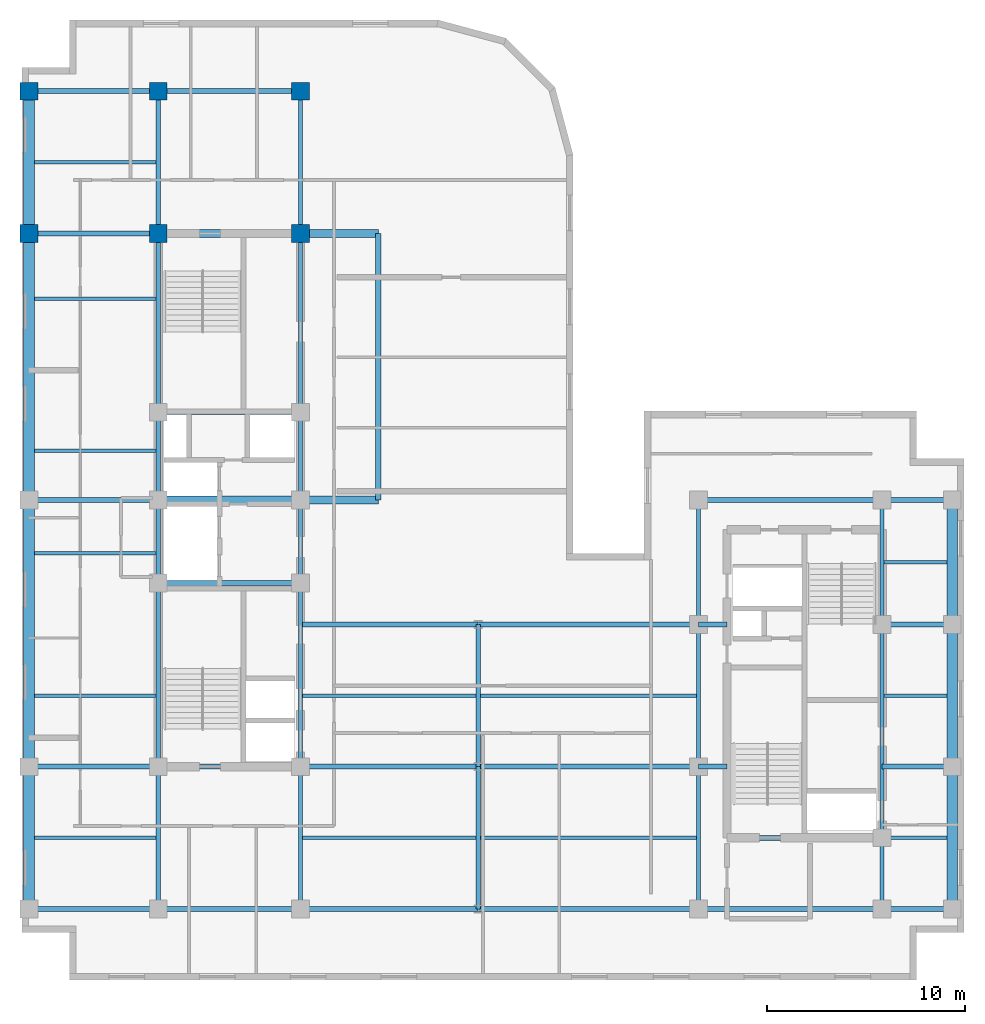
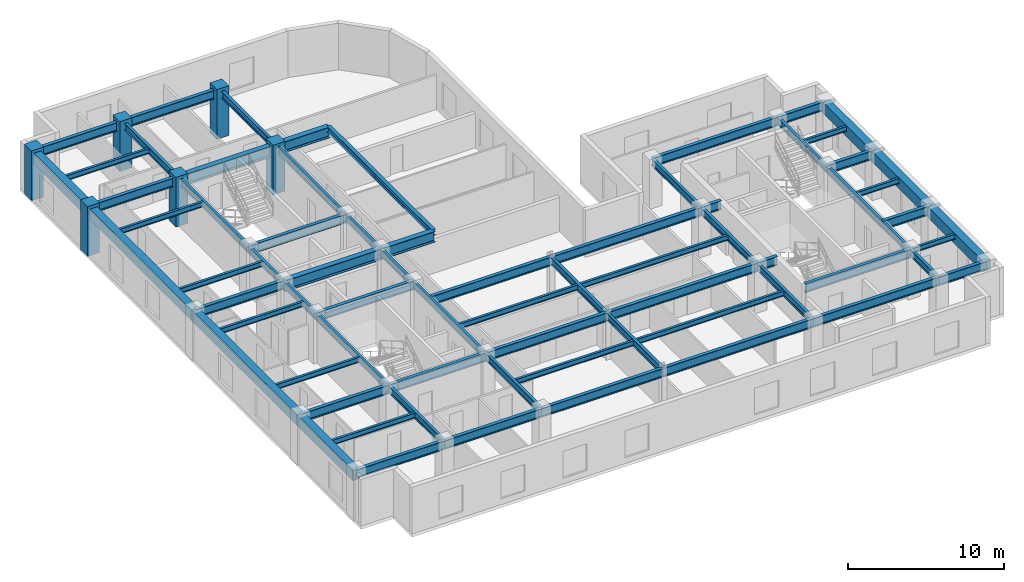
# One storey, part 2 of 10: 68 beams, 6 columns.
"""IFC4 building model written with IfcOpenShell, lengths in metres."""

from ifc_helpers import new_model, entity, si_unit, converted_unit, direction, frame, origin_with_axes, origin_2d_with_axis, place, context, subcontext, project, spatial, rectangle, i_section, extrude, material, material_profile, profile_set, type_object, element, save


model = new_model("IFC4")

# Units and contexts
model_context = context("Model", 3, precision=1e-05, world=origin_with_axes(), true_north=direction((0.0, 1.0)))
body_context = subcontext(model_context, "Body", "Model", "MODEL_VIEW")
ifc_project = project(units=[si_unit("LENGTHUNIT", "METRE"), si_unit("AREAUNIT", "SQUARE_METRE"), si_unit("VOLUMEUNIT", "CUBIC_METRE"), converted_unit("PLANEANGLEUNIT", "DEGREE", entity("IfcPlaneAngleMeasure", 0.017453292519943295), si_unit("PLANEANGLEUNIT", "RADIAN"), dimensions=[0, 0, 0, 0, 0, 0, 0]), si_unit("MASSUNIT", "GRAM", prefix="KILO"), si_unit("THERMODYNAMICTEMPERATUREUNIT", "KELVIN")], contexts=[model_context])

# Site, building, storey
site_placement = place(None, origin_with_axes())
site = spatial("IfcSite", under=ifc_project, at=site_placement, CompositionType="ELEMENT")
building_placement = place(site_placement, origin_with_axes())
building = spatial("IfcBuilding", under=site, at=building_placement, Name="Varnlund Millrace Tower", CompositionType="ELEMENT")
storey_placement = place(building_placement, frame((0.0, 0.0, 228.6), z_axis=(0.0, 0.0, 1.0), x_axis=(1.0, 0.0, 0.0)))
storey = spatial("IfcBuildingStorey", under=building, at=storey_placement, Name="L56", CompositionType="ELEMENT", Elevation=228.6)

# Columns
ifc_material_1 = material(Name="Concrete C70/85", Category="concrete")
ifc_material_profile_1 = material_profile(ifc_material_1, rectangle(XDim=0.9, YDim=0.9, at=origin_2d_with_axis()), Name="Concrete C70/85")
ifc_profile_set_1 = profile_set([ifc_material_profile_1], Name="Concrete C70/85")
column_type = type_object("IfcColumnType", Name="Type-Col-RC900-C70", PredefinedType="COLUMN", material=ifc_profile_set_1)
for number, where, z_axis, x_axis, name in (
    (1, (11.4, 37.8, 0.0), (0.0, 0.0, 1.0), (1.0, 0.0, 0.0), "Type-Col-RC900-C70"),
    (2, (11.4, 45.0, 0.0), (0.0, 0.0, 1.0), (1.0, 0.0, 0.0), "Type-Col-RC900-C70"),
    (3, (18.6, 37.8, 0.0), (0.0, 0.0, 1.0), (1.0, 0.0, 0.0), "Type-Col-RC900-C70"),
    (4, (18.6, 45.0, 0.0), (0.0, 0.0, 1.0), (1.0, 0.0, 0.0), "Type-Col-RC900-C70"),
    (5, (4.85, 37.8, 0.0), (0.0, 0.0, 1.0), (1.0, 0.0, 0.0), "Type-Col-RC900-C70"),
    (6, (4.85, 45.0, 0.0), (0.0, 0.0, 1.0), (1.0, 0.0, 0.0), "Type-Col-RC900-C70"),
):
    element("IfcColumn", number, at=place(storey_placement, frame(where, z_axis=z_axis, x_axis=x_axis)), inside=storey, type_object=column_type, Name=name, PredefinedType="COLUMN", context=body_context, shape_type="SweptSolid", body=[
        extrude(rectangle(XDim=0.9, YDim=0.9, at=origin_2d_with_axis()), origin_with_axes(), (0.0, 0.0, 1.0), 3.9),
    ])

# Beams
ifc_material_2 = material(Name="Steel ASTM A992 Grade 50", Category="steel")
ifc_material_profile_2 = material_profile(ifc_material_2, i_section(OverallWidth=0.28, OverallDepth=0.463, WebThickness=0.0108, FlangeThickness=0.0173, FilletRadius=0.015, at=origin_2d_with_axis()), Name="Steel ASTM A992 Grade 50")
ifc_profile_set_2 = profile_set([ifc_material_profile_2], Name="Steel ASTM A992 Grade 50")
beam_type_1 = type_object("IfcBeamType", Name="Type-Beam-W18X76", PredefinedType="BEAM", material=ifc_profile_set_2)
beam_1_placement = place(storey_placement, frame((22.55, 24.3, 3.4285), z_axis=(0.0, 1.0, 0.0), x_axis=(-1.0, 0.0, 0.0)))
element("IfcBeam", 7, at=beam_1_placement, inside=storey, type_object=beam_type_1, Name="Type-Beam-W18X76", PredefinedType="BEAM", context=body_context, shape_type="SweptSolid", body=[
    extrude(i_section(OverallWidth=0.28, OverallDepth=0.463, WebThickness=0.0108, FlangeThickness=0.0173, FilletRadius=0.015, at=origin_2d_with_axis()), origin_with_axes(), (0.0, 0.0, 1.0), 13.5),
])
ifc_material_profile_3 = material_profile(ifc_material_2, i_section(OverallWidth=0.214, OverallDepth=0.549, WebThickness=0.0147, FlangeThickness=0.0236, FilletRadius=0.015, at=origin_2d_with_axis()), Name="Steel ASTM A992 Grade 50")
ifc_profile_set_3 = profile_set([ifc_material_profile_3], Name="Steel ASTM A992 Grade 50")
beam_type_2 = type_object("IfcBeamType", Name="Type-Beam-W21X93", PredefinedType="BEAM", material=ifc_profile_set_3)
beam_2_placement = place(storey_placement, frame((11.4, 3.6, 3.3855), z_axis=(0.0, 1.0, 0.0), x_axis=(-1.0, 0.0, 0.0)))
element("IfcBeam", 8, at=beam_2_placement, inside=storey, type_object=beam_type_2, Name="Type-Beam-W21X93", PredefinedType="BEAM", context=body_context, shape_type="SweptSolid", body=[
    extrude(i_section(OverallWidth=0.214, OverallDepth=0.549, WebThickness=0.0147, FlangeThickness=0.0236, FilletRadius=0.015, at=origin_2d_with_axis()), origin_with_axes(), (0.0, 0.0, 1.0), 7.2),
])
beam_3_placement = place(storey_placement, frame((11.4, 10.8, 3.3855), z_axis=(0.0, 1.0, 0.0), x_axis=(-1.0, 0.0, 0.0)))
element("IfcBeam", 9, at=beam_3_placement, inside=storey, type_object=beam_type_2, Name="Type-Beam-W21X93", PredefinedType="BEAM", context=body_context, shape_type="SweptSolid", body=[
    extrude(i_section(OverallWidth=0.214, OverallDepth=0.549, WebThickness=0.0147, FlangeThickness=0.0236, FilletRadius=0.015, at=origin_2d_with_axis()), origin_with_axes(), (0.0, 0.0, 1.0), 9.3),
])
beam_4_placement = place(storey_placement, frame((11.4, 20.1, 3.3855), z_axis=(0.0, 1.0, 0.0), x_axis=(-1.0, 0.0, 0.0)))
element("IfcBeam", 10, at=beam_4_placement, inside=storey, type_object=beam_type_2, Name="Type-Beam-W21X93", PredefinedType="BEAM", context=body_context, shape_type="SweptSolid", body=[
    extrude(i_section(OverallWidth=0.214, OverallDepth=0.549, WebThickness=0.0147, FlangeThickness=0.0236, FilletRadius=0.015, at=origin_2d_with_axis()), origin_with_axes(), (0.0, 0.0, 1.0), 4.2),
])
beam_5_placement = place(storey_placement, frame((11.4, 24.3, 3.3855), z_axis=(0.0, 1.0, 0.0), x_axis=(-1.0, 0.0, 0.0)))
element("IfcBeam", 11, at=beam_5_placement, inside=storey, type_object=beam_type_2, Name="Type-Beam-W21X93", PredefinedType="BEAM", context=body_context, shape_type="SweptSolid", body=[
    extrude(i_section(OverallWidth=0.214, OverallDepth=0.549, WebThickness=0.0147, FlangeThickness=0.0236, FilletRadius=0.015, at=origin_2d_with_axis()), origin_with_axes(), (0.0, 0.0, 1.0), 4.45),
])
beam_6_placement = place(storey_placement, frame((11.4, 28.75, 3.3855), z_axis=(0.0, 1.0, 0.0), x_axis=(-1.0, 0.0, 0.0)))
element("IfcBeam", 12, at=beam_6_placement, inside=storey, type_object=beam_type_2, Name="Type-Beam-W21X93", PredefinedType="BEAM", context=body_context, shape_type="SweptSolid", body=[
    extrude(i_section(OverallWidth=0.214, OverallDepth=0.549, WebThickness=0.0147, FlangeThickness=0.0236, FilletRadius=0.015, at=origin_2d_with_axis()), origin_with_axes(), (0.0, 0.0, 1.0), 9.05),
])
for number, where, z_axis, x_axis, name in (
    (13, (11.4, 37.8, 3.3855), (0.0, 1.0, 0.0), (-1.0, 0.0, 0.0), "Type-Beam-W21X93"),
    (14, (18.6, 3.6, 3.3855), (0.0, 1.0, 0.0), (-1.0, 0.0, 0.0), "Type-Beam-W21X93"),
):
    element("IfcBeam", number, at=place(storey_placement, frame(where, z_axis=z_axis, x_axis=x_axis)), inside=storey, type_object=beam_type_2, Name=name, PredefinedType="BEAM", context=body_context, shape_type="SweptSolid", body=[
        extrude(i_section(OverallWidth=0.214, OverallDepth=0.549, WebThickness=0.0147, FlangeThickness=0.0236, FilletRadius=0.015, at=origin_2d_with_axis()), origin_with_axes(), (0.0, 0.0, 1.0), 7.2),
    ])
beam_7_placement = place(storey_placement, frame((18.6, 10.8, 3.3855), z_axis=(0.0, 1.0, 0.0), x_axis=(-1.0, 0.0, 0.0)))
element("IfcBeam", 15, at=beam_7_placement, inside=storey, type_object=beam_type_2, Name="Type-Beam-W21X93", PredefinedType="BEAM", context=body_context, shape_type="SweptSolid", body=[
    extrude(i_section(OverallWidth=0.214, OverallDepth=0.549, WebThickness=0.0147, FlangeThickness=0.0236, FilletRadius=0.015, at=origin_2d_with_axis()), origin_with_axes(), (0.0, 0.0, 1.0), 9.3),
])
beam_8_placement = place(storey_placement, frame((18.6, 20.1, 3.3855), z_axis=(0.0, 1.0, 0.0), x_axis=(-1.0, 0.0, 0.0)))
element("IfcBeam", 16, at=beam_8_placement, inside=storey, type_object=beam_type_2, Name="Type-Beam-W21X93", PredefinedType="BEAM", context=body_context, shape_type="SweptSolid", body=[
    extrude(i_section(OverallWidth=0.214, OverallDepth=0.549, WebThickness=0.0147, FlangeThickness=0.0236, FilletRadius=0.015, at=origin_2d_with_axis()), origin_with_axes(), (0.0, 0.0, 1.0), 4.2),
])
beam_9_placement = place(storey_placement, frame((18.6, 24.3, 3.3855), z_axis=(0.0, 1.0, 0.0), x_axis=(-1.0, 0.0, 0.0)))
element("IfcBeam", 17, at=beam_9_placement, inside=storey, type_object=beam_type_2, Name="Type-Beam-W21X93", PredefinedType="BEAM", context=body_context, shape_type="SweptSolid", body=[
    extrude(i_section(OverallWidth=0.214, OverallDepth=0.549, WebThickness=0.0147, FlangeThickness=0.0236, FilletRadius=0.015, at=origin_2d_with_axis()), origin_with_axes(), (0.0, 0.0, 1.0), 4.45),
])
beam_10_placement = place(storey_placement, frame((18.6, 28.75, 3.3855), z_axis=(0.0, 1.0, 0.0), x_axis=(-1.0, 0.0, 0.0)))
element("IfcBeam", 18, at=beam_10_placement, inside=storey, type_object=beam_type_2, Name="Type-Beam-W21X93", PredefinedType="BEAM", context=body_context, shape_type="SweptSolid", body=[
    extrude(i_section(OverallWidth=0.214, OverallDepth=0.549, WebThickness=0.0147, FlangeThickness=0.0236, FilletRadius=0.015, at=origin_2d_with_axis()), origin_with_axes(), (0.0, 0.0, 1.0), 9.05),
])
for number, where, z_axis, x_axis, name in (
    (19, (18.6, 37.8, 3.3855), (0.0, 1.0, 0.0), (-1.0, 0.0, 0.0), "Type-Beam-W21X93"),
    (20, (27.6, 3.6, 3.3855), (0.0, 1.0, 0.0), (-1.0, 0.0, 0.0), "Type-Beam-W21X93"),
    (21, (27.6, 10.8, 3.3855), (0.0, 1.0, 0.0), (-1.0, 0.0, 0.0), "Type-Beam-W21X93"),
    (22, (38.75, 3.6, 3.3855), (0.0, 1.0, 0.0), (-1.0, 0.0, 0.0), "Type-Beam-W21X93"),
    (23, (38.75, 10.8, 3.3855), (0.0, 1.0, 0.0), (-1.0, 0.0, 0.0), "Type-Beam-W21X93"),
):
    element("IfcBeam", number, at=place(storey_placement, frame(where, z_axis=z_axis, x_axis=x_axis)), inside=storey, type_object=beam_type_2, Name=name, PredefinedType="BEAM", context=body_context, shape_type="SweptSolid", body=[
        extrude(i_section(OverallWidth=0.214, OverallDepth=0.549, WebThickness=0.0147, FlangeThickness=0.0236, FilletRadius=0.015, at=origin_2d_with_axis()), origin_with_axes(), (0.0, 0.0, 1.0), 7.2),
    ])
beam_11_placement = place(storey_placement, frame((38.75, 18.0, 3.3855), z_axis=(0.0, 1.0, 0.0), x_axis=(-1.0, 0.0, 0.0)))
element("IfcBeam", 24, at=beam_11_placement, inside=storey, type_object=beam_type_2, Name="Type-Beam-W21X93", PredefinedType="BEAM", context=body_context, shape_type="SweptSolid", body=[
    extrude(i_section(OverallWidth=0.214, OverallDepth=0.549, WebThickness=0.0147, FlangeThickness=0.0236, FilletRadius=0.015, at=origin_2d_with_axis()), origin_with_axes(), (0.0, 0.0, 1.0), 6.3),
])
beam_12_placement = place(storey_placement, frame((48.05, 3.6, 3.3855), z_axis=(0.0, 1.0, 0.0), x_axis=(-1.0, 0.0, 0.0)))
element("IfcBeam", 25, at=beam_12_placement, inside=storey, type_object=beam_type_2, Name="Type-Beam-W21X93", PredefinedType="BEAM", context=body_context, shape_type="SweptSolid", body=[
    extrude(i_section(OverallWidth=0.214, OverallDepth=0.549, WebThickness=0.0147, FlangeThickness=0.0236, FilletRadius=0.015, at=origin_2d_with_axis()), origin_with_axes(), (0.0, 0.0, 1.0), 3.6),
])
beam_13_placement = place(storey_placement, frame((48.05, 7.2, 3.3855), z_axis=(0.0, 1.0, 0.0), x_axis=(-1.0, 0.0, 0.0)))
element("IfcBeam", 26, at=beam_13_placement, inside=storey, type_object=beam_type_2, Name="Type-Beam-W21X93", PredefinedType="BEAM", context=body_context, shape_type="SweptSolid", body=[
    extrude(i_section(OverallWidth=0.214, OverallDepth=0.549, WebThickness=0.0147, FlangeThickness=0.0236, FilletRadius=0.015, at=origin_2d_with_axis()), origin_with_axes(), (0.0, 0.0, 1.0), 10.8),
])
beam_14_placement = place(storey_placement, frame((48.05, 18.0, 3.3855), z_axis=(0.0, 1.0, 0.0), x_axis=(-1.0, 0.0, 0.0)))
element("IfcBeam", 27, at=beam_14_placement, inside=storey, type_object=beam_type_2, Name="Type-Beam-W21X93", PredefinedType="BEAM", context=body_context, shape_type="SweptSolid", body=[
    extrude(i_section(OverallWidth=0.214, OverallDepth=0.549, WebThickness=0.0147, FlangeThickness=0.0236, FilletRadius=0.015, at=origin_2d_with_axis()), origin_with_axes(), (0.0, 0.0, 1.0), 6.3),
])
ifc_material_profile_4 = material_profile(ifc_material_2, i_section(OverallWidth=0.256, OverallDepth=0.693, WebThickness=0.0145, FlangeThickness=0.0236, FilletRadius=0.018, at=origin_2d_with_axis()), Name="Steel ASTM A992 Grade 50")
ifc_profile_set_4 = profile_set([ifc_material_profile_4], Name="Steel ASTM A992 Grade 50")
beam_type_3 = type_object("IfcBeamType", Name="Type-Girder-W27X114", PredefinedType="USERDEFINED", material=ifc_profile_set_4)
beam_15_placement = place(storey_placement, frame((4.85, 3.6, 3.3135), z_axis=(1.0, 0.0, 0.0), x_axis=(0.0, 1.0, 0.0)))
element("IfcBeam", 28, at=beam_15_placement, inside=storey, type_object=beam_type_3, Name="Type-Girder-W27X114", ObjectType="GIRDER", PredefinedType="USERDEFINED", context=body_context, shape_type="SweptSolid", body=[
    extrude(i_section(OverallWidth=0.256, OverallDepth=0.693, WebThickness=0.0145, FlangeThickness=0.0236, FilletRadius=0.018, at=origin_2d_with_axis()), origin_with_axes(), (0.0, 0.0, 1.0), 6.55),
])
beam_16_placement = place(storey_placement, frame((11.4, 3.6, 3.3135), z_axis=(1.0, 0.0, 0.0), x_axis=(0.0, 1.0, 0.0)))
element("IfcBeam", 29, at=beam_16_placement, inside=storey, type_object=beam_type_3, Name="Type-Girder-W27X114", ObjectType="GIRDER", PredefinedType="USERDEFINED", context=body_context, shape_type="SweptSolid", body=[
    extrude(i_section(OverallWidth=0.256, OverallDepth=0.693, WebThickness=0.0145, FlangeThickness=0.0236, FilletRadius=0.018, at=origin_2d_with_axis()), origin_with_axes(), (0.0, 0.0, 1.0), 7.2),
])
beam_17_placement = place(storey_placement, frame((18.6, 3.6, 3.3135), z_axis=(1.0, 0.0, 0.0), x_axis=(0.0, 1.0, 0.0)))
element("IfcBeam", 30, at=beam_17_placement, inside=storey, type_object=beam_type_3, Name="Type-Girder-W27X114", ObjectType="GIRDER", PredefinedType="USERDEFINED", context=body_context, shape_type="SweptSolid", body=[
    extrude(i_section(OverallWidth=0.256, OverallDepth=0.693, WebThickness=0.0145, FlangeThickness=0.0236, FilletRadius=0.018, at=origin_2d_with_axis()), origin_with_axes(), (0.0, 0.0, 1.0), 9.0),
])
beam_18_placement = place(storey_placement, frame((27.6, 3.6, 3.3135), z_axis=(1.0, 0.0, 0.0), x_axis=(0.0, 1.0, 0.0)))
element("IfcBeam", 31, at=beam_18_placement, inside=storey, type_object=beam_type_3, Name="Type-Girder-W27X114", ObjectType="GIRDER", PredefinedType="USERDEFINED", context=body_context, shape_type="SweptSolid", body=[
    extrude(i_section(OverallWidth=0.256, OverallDepth=0.693, WebThickness=0.0145, FlangeThickness=0.0236, FilletRadius=0.018, at=origin_2d_with_axis()), origin_with_axes(), (0.0, 0.0, 1.0), 11.15),
])
beam_19_placement = place(storey_placement, frame((38.75, 3.6, 3.3135), z_axis=(1.0, 0.0, 0.0), x_axis=(0.0, 1.0, 0.0)))
element("IfcBeam", 32, at=beam_19_placement, inside=storey, type_object=beam_type_3, Name="Type-Girder-W27X114", ObjectType="GIRDER", PredefinedType="USERDEFINED", context=body_context, shape_type="SweptSolid", body=[
    extrude(i_section(OverallWidth=0.256, OverallDepth=0.693, WebThickness=0.0145, FlangeThickness=0.0236, FilletRadius=0.018, at=origin_2d_with_axis()), origin_with_axes(), (0.0, 0.0, 1.0), 9.3),
])
beam_20_placement = place(storey_placement, frame((48.05, 3.6, 3.3135), z_axis=(1.0, 0.0, 0.0), x_axis=(0.0, 1.0, 0.0)))
element("IfcBeam", 33, at=beam_20_placement, inside=storey, type_object=beam_type_3, Name="Type-Girder-W27X114", ObjectType="GIRDER", PredefinedType="USERDEFINED", context=body_context, shape_type="SweptSolid", body=[
    extrude(i_section(OverallWidth=0.256, OverallDepth=0.693, WebThickness=0.0145, FlangeThickness=0.0236, FilletRadius=0.018, at=origin_2d_with_axis()), origin_with_axes(), (0.0, 0.0, 1.0), 3.55),
])
beam_21_placement = place(storey_placement, frame((40.2, 7.2, 3.3135), z_axis=(1.0, 0.0, 0.0), x_axis=(0.0, 1.0, 0.0)))
element("IfcBeam", 34, at=beam_21_placement, inside=storey, type_object=beam_type_3, Name="Type-Girder-W27X114", ObjectType="GIRDER", PredefinedType="USERDEFINED", context=body_context, shape_type="SweptSolid", body=[
    extrude(i_section(OverallWidth=0.256, OverallDepth=0.693, WebThickness=0.0145, FlangeThickness=0.0236, FilletRadius=0.018, at=origin_2d_with_axis()), origin_with_axes(), (0.0, 0.0, 1.0), 7.85),
])
beam_22_placement = place(storey_placement, frame((4.85, 10.8, 3.3135), z_axis=(1.0, 0.0, 0.0), x_axis=(0.0, 1.0, 0.0)))
element("IfcBeam", 35, at=beam_22_placement, inside=storey, type_object=beam_type_3, Name="Type-Girder-W27X114", ObjectType="GIRDER", PredefinedType="USERDEFINED", context=body_context, shape_type="SweptSolid", body=[
    extrude(i_section(OverallWidth=0.256, OverallDepth=0.693, WebThickness=0.0145, FlangeThickness=0.0236, FilletRadius=0.018, at=origin_2d_with_axis()), origin_with_axes(), (0.0, 0.0, 1.0), 6.55),
])
beam_23_placement = place(storey_placement, frame((11.4, 10.8, 3.3135), z_axis=(1.0, 0.0, 0.0), x_axis=(0.0, 1.0, 0.0)))
element("IfcBeam", 36, at=beam_23_placement, inside=storey, type_object=beam_type_3, Name="Type-Girder-W27X114", ObjectType="GIRDER", PredefinedType="USERDEFINED", context=body_context, shape_type="SweptSolid", body=[
    extrude(i_section(OverallWidth=0.256, OverallDepth=0.693, WebThickness=0.0145, FlangeThickness=0.0236, FilletRadius=0.018, at=origin_2d_with_axis()), origin_with_axes(), (0.0, 0.0, 1.0), 7.2),
])
beam_24_placement = place(storey_placement, frame((18.6, 10.8, 3.3135), z_axis=(1.0, 0.0, 0.0), x_axis=(0.0, 1.0, 0.0)))
element("IfcBeam", 37, at=beam_24_placement, inside=storey, type_object=beam_type_3, Name="Type-Girder-W27X114", ObjectType="GIRDER", PredefinedType="USERDEFINED", context=body_context, shape_type="SweptSolid", body=[
    extrude(i_section(OverallWidth=0.256, OverallDepth=0.693, WebThickness=0.0145, FlangeThickness=0.0236, FilletRadius=0.018, at=origin_2d_with_axis()), origin_with_axes(), (0.0, 0.0, 1.0), 9.0),
])
beam_25_placement = place(storey_placement, frame((27.6, 10.8, 3.3135), z_axis=(1.0, 0.0, 0.0), x_axis=(0.0, 1.0, 0.0)))
element("IfcBeam", 38, at=beam_25_placement, inside=storey, type_object=beam_type_3, Name="Type-Girder-W27X114", ObjectType="GIRDER", PredefinedType="USERDEFINED", context=body_context, shape_type="SweptSolid", body=[
    extrude(i_section(OverallWidth=0.256, OverallDepth=0.693, WebThickness=0.0145, FlangeThickness=0.0236, FilletRadius=0.018, at=origin_2d_with_axis()), origin_with_axes(), (0.0, 0.0, 1.0), 11.15),
])
beam_26_placement = place(storey_placement, frame((38.75, 10.8, 3.3135), z_axis=(1.0, 0.0, 0.0), x_axis=(0.0, 1.0, 0.0)))
element("IfcBeam", 39, at=beam_26_placement, inside=storey, type_object=beam_type_3, Name="Type-Girder-W27X114", ObjectType="GIRDER", PredefinedType="USERDEFINED", context=body_context, shape_type="SweptSolid", body=[
    extrude(i_section(OverallWidth=0.256, OverallDepth=0.693, WebThickness=0.0145, FlangeThickness=0.0236, FilletRadius=0.018, at=origin_2d_with_axis()), origin_with_axes(), (0.0, 0.0, 1.0), 1.45),
])
beam_27_placement = place(storey_placement, frame((48.05, 10.8, 3.3135), z_axis=(1.0, 0.0, 0.0), x_axis=(0.0, 1.0, 0.0)))
element("IfcBeam", 40, at=beam_27_placement, inside=storey, type_object=beam_type_3, Name="Type-Girder-W27X114", ObjectType="GIRDER", PredefinedType="USERDEFINED", context=body_context, shape_type="SweptSolid", body=[
    extrude(i_section(OverallWidth=0.256, OverallDepth=0.693, WebThickness=0.0145, FlangeThickness=0.0236, FilletRadius=0.018, at=origin_2d_with_axis()), origin_with_axes(), (0.0, 0.0, 1.0), 3.55),
])
beam_28_placement = place(storey_placement, frame((18.6, 18.0, 3.3135), z_axis=(1.0, 0.0, 0.0), x_axis=(0.0, 1.0, 0.0)))
element("IfcBeam", 41, at=beam_28_placement, inside=storey, type_object=beam_type_3, Name="Type-Girder-W27X114", ObjectType="GIRDER", PredefinedType="USERDEFINED", context=body_context, shape_type="SweptSolid", body=[
    extrude(i_section(OverallWidth=0.256, OverallDepth=0.693, WebThickness=0.0145, FlangeThickness=0.0236, FilletRadius=0.018, at=origin_2d_with_axis()), origin_with_axes(), (0.0, 0.0, 1.0), 9.0),
])
beam_29_placement = place(storey_placement, frame((27.6, 18.0, 3.3135), z_axis=(1.0, 0.0, 0.0), x_axis=(0.0, 1.0, 0.0)))
element("IfcBeam", 42, at=beam_29_placement, inside=storey, type_object=beam_type_3, Name="Type-Girder-W27X114", ObjectType="GIRDER", PredefinedType="USERDEFINED", context=body_context, shape_type="SweptSolid", body=[
    extrude(i_section(OverallWidth=0.256, OverallDepth=0.693, WebThickness=0.0145, FlangeThickness=0.0236, FilletRadius=0.018, at=origin_2d_with_axis()), origin_with_axes(), (0.0, 0.0, 1.0), 11.15),
])
beam_30_placement = place(storey_placement, frame((38.75, 18.0, 3.3135), z_axis=(1.0, 0.0, 0.0), x_axis=(0.0, 1.0, 0.0)))
element("IfcBeam", 43, at=beam_30_placement, inside=storey, type_object=beam_type_3, Name="Type-Girder-W27X114", ObjectType="GIRDER", PredefinedType="USERDEFINED", context=body_context, shape_type="SweptSolid", body=[
    extrude(i_section(OverallWidth=0.256, OverallDepth=0.693, WebThickness=0.0145, FlangeThickness=0.0236, FilletRadius=0.018, at=origin_2d_with_axis()), origin_with_axes(), (0.0, 0.0, 1.0), 1.45),
])
beam_31_placement = place(storey_placement, frame((48.05, 18.0, 3.3135), z_axis=(1.0, 0.0, 0.0), x_axis=(0.0, 1.0, 0.0)))
element("IfcBeam", 44, at=beam_31_placement, inside=storey, type_object=beam_type_3, Name="Type-Girder-W27X114", ObjectType="GIRDER", PredefinedType="USERDEFINED", context=body_context, shape_type="SweptSolid", body=[
    extrude(i_section(OverallWidth=0.256, OverallDepth=0.693, WebThickness=0.0145, FlangeThickness=0.0236, FilletRadius=0.018, at=origin_2d_with_axis()), origin_with_axes(), (0.0, 0.0, 1.0), 3.55),
])
beam_32_placement = place(storey_placement, frame((11.4, 20.1, 3.3135), z_axis=(1.0, 0.0, 0.0), x_axis=(0.0, 1.0, 0.0)))
element("IfcBeam", 45, at=beam_32_placement, inside=storey, type_object=beam_type_3, Name="Type-Girder-W27X114", ObjectType="GIRDER", PredefinedType="USERDEFINED", context=body_context, shape_type="SweptSolid", body=[
    extrude(i_section(OverallWidth=0.256, OverallDepth=0.693, WebThickness=0.0145, FlangeThickness=0.0236, FilletRadius=0.018, at=origin_2d_with_axis()), origin_with_axes(), (0.0, 0.0, 1.0), 7.2),
])
beam_33_placement = place(storey_placement, frame((4.85, 24.3, 3.3135), z_axis=(1.0, 0.0, 0.0), x_axis=(0.0, 1.0, 0.0)))
element("IfcBeam", 46, at=beam_33_placement, inside=storey, type_object=beam_type_3, Name="Type-Girder-W27X114", ObjectType="GIRDER", PredefinedType="USERDEFINED", context=body_context, shape_type="SweptSolid", body=[
    extrude(i_section(OverallWidth=0.256, OverallDepth=0.693, WebThickness=0.0145, FlangeThickness=0.0236, FilletRadius=0.018, at=origin_2d_with_axis()), origin_with_axes(), (0.0, 0.0, 1.0), 6.55),
])
beam_34_placement = place(storey_placement, frame((38.75, 24.3, 3.3135), z_axis=(1.0, 0.0, 0.0), x_axis=(0.0, 1.0, 0.0)))
element("IfcBeam", 47, at=beam_34_placement, inside=storey, type_object=beam_type_3, Name="Type-Girder-W27X114", ObjectType="GIRDER", PredefinedType="USERDEFINED", context=body_context, shape_type="SweptSolid", body=[
    extrude(i_section(OverallWidth=0.256, OverallDepth=0.693, WebThickness=0.0145, FlangeThickness=0.0236, FilletRadius=0.018, at=origin_2d_with_axis()), origin_with_axes(), (0.0, 0.0, 1.0), 9.3),
])
beam_35_placement = place(storey_placement, frame((48.05, 24.3, 3.3135), z_axis=(1.0, 0.0, 0.0), x_axis=(0.0, 1.0, 0.0)))
element("IfcBeam", 48, at=beam_35_placement, inside=storey, type_object=beam_type_3, Name="Type-Girder-W27X114", ObjectType="GIRDER", PredefinedType="USERDEFINED", context=body_context, shape_type="SweptSolid", body=[
    extrude(i_section(OverallWidth=0.256, OverallDepth=0.693, WebThickness=0.0145, FlangeThickness=0.0236, FilletRadius=0.018, at=origin_2d_with_axis()), origin_with_axes(), (0.0, 0.0, 1.0), 3.55),
])
beam_36_placement = place(storey_placement, frame((11.4, 28.75, 3.3135), z_axis=(1.0, 0.0, 0.0), x_axis=(0.0, 1.0, 0.0)))
element("IfcBeam", 49, at=beam_36_placement, inside=storey, type_object=beam_type_3, Name="Type-Girder-W27X114", ObjectType="GIRDER", PredefinedType="USERDEFINED", context=body_context, shape_type="SweptSolid", body=[
    extrude(i_section(OverallWidth=0.256, OverallDepth=0.693, WebThickness=0.0145, FlangeThickness=0.0236, FilletRadius=0.018, at=origin_2d_with_axis()), origin_with_axes(), (0.0, 0.0, 1.0), 7.2),
])
for number, where, z_axis, x_axis, name in (
    (50, (4.85, 37.8, 3.3135), (1.0, 0.0, 0.0), (0.0, 1.0, 0.0), "Type-Girder-W27X114"),
    (51, (4.85, 45.0, 3.3135), (1.0, 0.0, 0.0), (0.0, 1.0, 0.0), "Type-Girder-W27X114"),
):
    element("IfcBeam", number, at=place(storey_placement, frame(where, z_axis=z_axis, x_axis=x_axis)), inside=storey, type_object=beam_type_3, Name=name, ObjectType="GIRDER", PredefinedType="USERDEFINED", context=body_context, shape_type="SweptSolid", body=[
        extrude(i_section(OverallWidth=0.256, OverallDepth=0.693, WebThickness=0.0145, FlangeThickness=0.0236, FilletRadius=0.018, at=origin_2d_with_axis()), origin_with_axes(), (0.0, 0.0, 1.0), 6.55),
    ])
beam_37_placement = place(storey_placement, frame((11.4, 45.0, 3.3135), z_axis=(1.0, 0.0, 0.0), x_axis=(0.0, 1.0, 0.0)))
element("IfcBeam", 52, at=beam_37_placement, inside=storey, type_object=beam_type_3, Name="Type-Girder-W27X114", ObjectType="GIRDER", PredefinedType="USERDEFINED", context=body_context, shape_type="SweptSolid", body=[
    extrude(i_section(OverallWidth=0.256, OverallDepth=0.693, WebThickness=0.0145, FlangeThickness=0.0236, FilletRadius=0.018, at=origin_2d_with_axis()), origin_with_axes(), (0.0, 0.0, 1.0), 7.2),
])
ifc_material_profile_5 = material_profile(ifc_material_2, i_section(OverallWidth=0.399, OverallDepth=0.855, WebThickness=0.0182, FlangeThickness=0.0292, FilletRadius=0.022, at=origin_2d_with_axis()), Name="Steel ASTM A992 Grade 50")
ifc_profile_set_5 = profile_set([ifc_material_profile_5], Name="Steel ASTM A992 Grade 50")
beam_type_4 = type_object("IfcBeamType", Name="Type-Girder-W33X201", PredefinedType="USERDEFINED", material=ifc_profile_set_5)
for number, where, z_axis, x_axis, name in (
    (53, (11.4, 24.3, 3.2325), (1.0, 0.0, 0.0), (0.0, 1.0, 0.0), "Type-Girder-W33X201"),
    (54, (11.4, 37.8, 3.2325), (1.0, 0.0, 0.0), (0.0, 1.0, 0.0), "Type-Girder-W33X201"),
):
    element("IfcBeam", number, at=place(storey_placement, frame(where, z_axis=z_axis, x_axis=x_axis)), inside=storey, type_object=beam_type_4, Name=name, ObjectType="GIRDER", PredefinedType="USERDEFINED", context=body_context, shape_type="SweptSolid", body=[
        extrude(i_section(OverallWidth=0.399, OverallDepth=0.855, WebThickness=0.0182, FlangeThickness=0.0292, FilletRadius=0.022, at=origin_2d_with_axis()), origin_with_axes(), (0.0, 0.0, 1.0), 11.15),
    ])
ifc_material_profile_6 = material_profile(ifc_material_2, i_section(OverallWidth=0.178, OverallDepth=0.403, WebThickness=0.0075, FlangeThickness=0.0109, FilletRadius=0.011, at=origin_2d_with_axis()), Name="Steel ASTM A992 Grade 50")
ifc_profile_set_6 = profile_set([ifc_material_profile_6], Name="Steel ASTM A992 Grade 50")
beam_type_5 = type_object("IfcBeamType", Name="Type-Joist-W16X36", PredefinedType="JOIST", material=ifc_profile_set_6)
for number, where, z_axis, x_axis, name in (
    (55, (5.125, 7.2, 3.4585), (1.0, 0.0, 0.0), (0.0, 1.0, 0.0), "Type-Joist-W16X36"),
    (56, (5.125, 14.4, 3.4585), (1.0, 0.0, 0.0), (0.0, 1.0, 0.0), "Type-Joist-W16X36"),
    (57, (5.125, 21.6, 3.4585), (1.0, 0.0, 0.0), (0.0, 1.0, 0.0), "Type-Joist-W16X36"),
    (58, (5.125, 26.8, 3.4585), (1.0, 0.0, 0.0), (0.0, 1.0, 0.0), "Type-Joist-W16X36"),
    (59, (5.125, 34.5, 3.4585), (1.0, 0.0, 0.0), (0.0, 1.0, 0.0), "Type-Joist-W16X36"),
    (60, (5.125, 41.4, 3.4585), (1.0, 0.0, 0.0), (0.0, 1.0, 0.0), "Type-Joist-W16X36"),
):
    element("IfcBeam", number, at=place(storey_placement, frame(where, z_axis=z_axis, x_axis=x_axis)), inside=storey, type_object=beam_type_5, Name=name, PredefinedType="JOIST", context=body_context, shape_type="SweptSolid", body=[
        extrude(i_section(OverallWidth=0.178, OverallDepth=0.403, WebThickness=0.0075, FlangeThickness=0.0109, FilletRadius=0.011, at=origin_2d_with_axis()), origin_with_axes(), (0.0, 0.0, 1.0), 6.168),
    ])
for number, where, z_axis, x_axis, name in (
    (61, (48.157, 7.2, 3.4585), (1.0, 0.0, 0.0), (0.0, 1.0, 0.0), "Type-Joist-W16X36"),
    (62, (48.157, 14.4, 3.4585), (1.0, 0.0, 0.0), (0.0, 1.0, 0.0), "Type-Joist-W16X36"),
    (63, (48.157, 21.15, 3.4585), (1.0, 0.0, 0.0), (0.0, 1.0, 0.0), "Type-Joist-W16X36"),
):
    element("IfcBeam", number, at=place(storey_placement, frame(where, z_axis=z_axis, x_axis=x_axis)), inside=storey, type_object=beam_type_5, Name=name, PredefinedType="JOIST", context=body_context, shape_type="SweptSolid", body=[
        extrude(i_section(OverallWidth=0.178, OverallDepth=0.403, WebThickness=0.0075, FlangeThickness=0.0109, FilletRadius=0.011, at=origin_2d_with_axis()), origin_with_axes(), (0.0, 0.0, 1.0), 3.168),
    ])
for number, where, z_axis, x_axis, name in (
    (64, (18.707, 7.2, 3.4585), (1.0, 0.0, 0.0), (0.0, 1.0, 0.0), "Type-Joist-W16X36"),
    (65, (18.707, 14.4, 3.4585), (1.0, 0.0, 0.0), (0.0, 1.0, 0.0), "Type-Joist-W16X36"),
):
    element("IfcBeam", number, at=place(storey_placement, frame(where, z_axis=z_axis, x_axis=x_axis)), inside=storey, type_object=beam_type_5, Name=name, PredefinedType="JOIST", context=body_context, shape_type="SweptSolid", body=[
        extrude(i_section(OverallWidth=0.178, OverallDepth=0.403, WebThickness=0.0075, FlangeThickness=0.0109, FilletRadius=0.011, at=origin_2d_with_axis()), origin_with_axes(), (0.0, 0.0, 1.0), 8.786),
    ])
for number, where, z_axis, x_axis, name in (
    (66, (27.707, 7.2, 3.4585), (1.0, 0.0, 0.0), (0.0, 1.0, 0.0), "Type-Joist-W16X36"),
    (67, (27.707, 14.4, 3.4585), (1.0, 0.0, 0.0), (0.0, 1.0, 0.0), "Type-Joist-W16X36"),
):
    element("IfcBeam", number, at=place(storey_placement, frame(where, z_axis=z_axis, x_axis=x_axis)), inside=storey, type_object=beam_type_5, Name=name, PredefinedType="JOIST", context=body_context, shape_type="SweptSolid", body=[
        extrude(i_section(OverallWidth=0.178, OverallDepth=0.403, WebThickness=0.0075, FlangeThickness=0.0109, FilletRadius=0.011, at=origin_2d_with_axis()), origin_with_axes(), (0.0, 0.0, 1.0), 10.936),
    ])
ifc_material_3 = material(Name="Concrete C60/75", Category="concrete")
ifc_material_profile_7 = material_profile(ifc_material_3, rectangle(XDim=0.55, YDim=0.85, at=origin_2d_with_axis()), Name="Concrete C60/75")
ifc_profile_set_7 = profile_set([ifc_material_profile_7], Name="Concrete C60/75")
beam_type_6 = type_object("IfcBeamType", Name="Type-Spandrel-RC550X850", PredefinedType="SPANDREL", material=ifc_profile_set_7)
beam_38_placement = place(storey_placement, frame((4.85, 3.6, 3.235), z_axis=(0.0, 1.0, 0.0), x_axis=(-1.0, 0.0, 0.0)))
element("IfcBeam", 68, at=beam_38_placement, inside=storey, type_object=beam_type_6, Name="Type-Spandrel-RC550X850", PredefinedType="SPANDREL", context=body_context, shape_type="SweptSolid", body=[
    extrude(rectangle(XDim=0.55, YDim=0.85, at=origin_2d_with_axis()), origin_with_axes(), (0.0, 0.0, 1.0), 7.2),
])
for number, where, z_axis, x_axis, name in (
    (69, (4.85, 10.8, 3.235), (0.0, 1.0, 0.0), (-1.0, 0.0, 0.0), "Type-Spandrel-RC550X850"),
    (70, (4.85, 24.3, 3.235), (0.0, 1.0, 0.0), (-1.0, 0.0, 0.0), "Type-Spandrel-RC550X850"),
):
    element("IfcBeam", number, at=place(storey_placement, frame(where, z_axis=z_axis, x_axis=x_axis)), inside=storey, type_object=beam_type_6, Name=name, PredefinedType="SPANDREL", context=body_context, shape_type="SweptSolid", body=[
        extrude(rectangle(XDim=0.55, YDim=0.85, at=origin_2d_with_axis()), origin_with_axes(), (0.0, 0.0, 1.0), 13.5),
    ])
for number, where, z_axis, x_axis, name in (
    (71, (4.85, 37.8, 3.235), (0.0, 1.0, 0.0), (-1.0, 0.0, 0.0), "Type-Spandrel-RC550X850"),
    (72, (51.6, 3.6, 3.235), (0.0, 1.0, 0.0), (-1.0, 0.0, 0.0), "Type-Spandrel-RC550X850"),
    (73, (51.6, 10.8, 3.235), (0.0, 1.0, 0.0), (-1.0, 0.0, 0.0), "Type-Spandrel-RC550X850"),
):
    element("IfcBeam", number, at=place(storey_placement, frame(where, z_axis=z_axis, x_axis=x_axis)), inside=storey, type_object=beam_type_6, Name=name, PredefinedType="SPANDREL", context=body_context, shape_type="SweptSolid", body=[
        extrude(rectangle(XDim=0.55, YDim=0.85, at=origin_2d_with_axis()), origin_with_axes(), (0.0, 0.0, 1.0), 7.2),
    ])
beam_39_placement = place(storey_placement, frame((51.6, 18.0, 3.235), z_axis=(0.0, 1.0, 0.0), x_axis=(-1.0, 0.0, 0.0)))
element("IfcBeam", 74, at=beam_39_placement, inside=storey, type_object=beam_type_6, Name="Type-Spandrel-RC550X850", PredefinedType="SPANDREL", context=body_context, shape_type="SweptSolid", body=[
    extrude(rectangle(XDim=0.55, YDim=0.85, at=origin_2d_with_axis()), origin_with_axes(), (0.0, 0.0, 1.0), 6.3),
])

save(model, "model.ifc")
